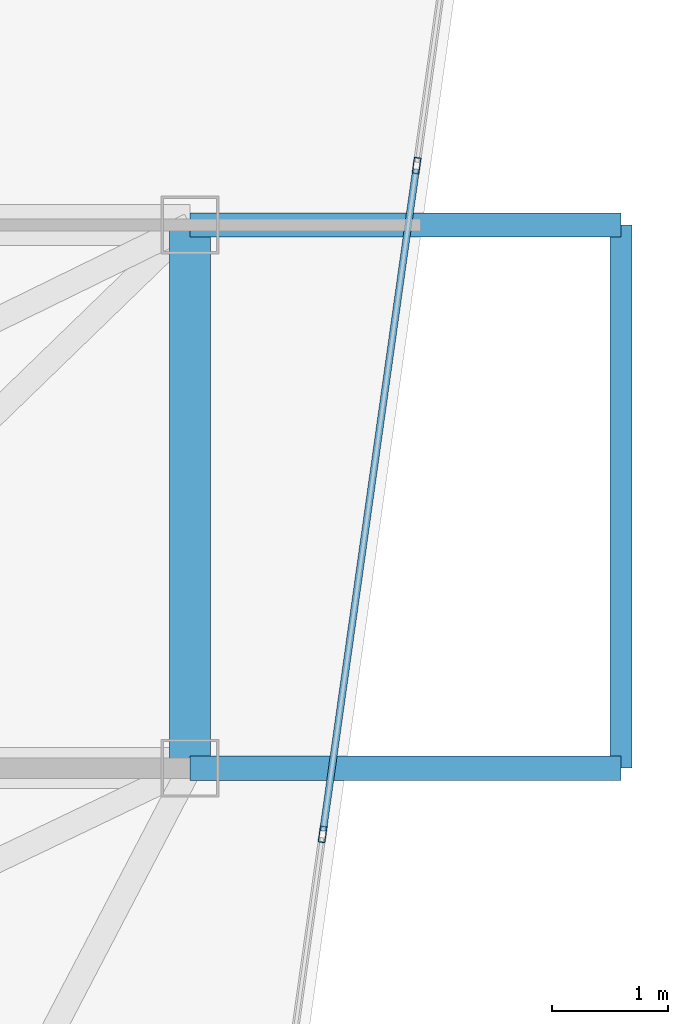
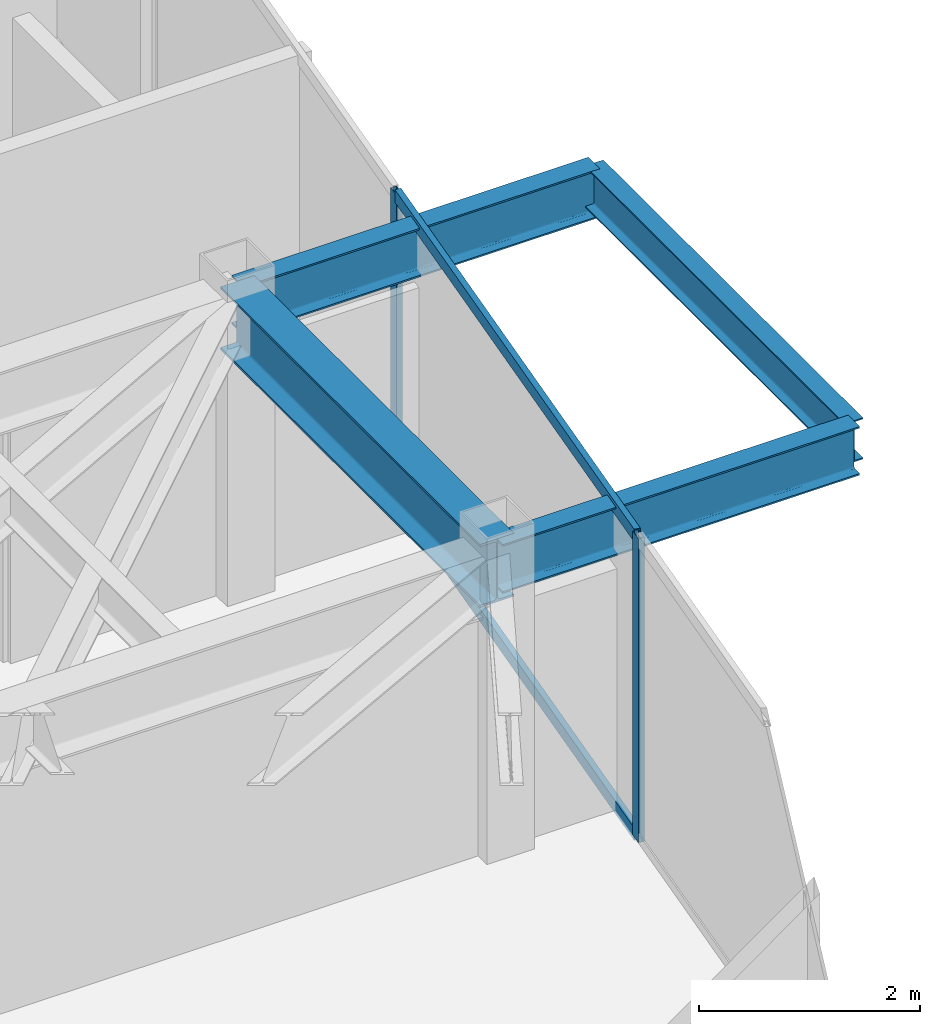
# One storey, part 10 of 17: 4 beams, 4 members, 1 element without a shape of its own.
"""IFC4 building model written with IfcOpenShell, lengths in metres."""

from ifc_helpers import new_model, si_unit, direction, frame, origin, origin_2d, place, context, subcontext, project, spatial, hollow_rectangle, i_section, extrude, material, layer, layer_set, material_profile, profile_set, type_object, element, aggregate, save


model = new_model("IFC4")

# Units and contexts
model_context = context("Model", 3, precision=1e-05, world=origin(), true_north=direction((0.0, 1.0)))
body_context = subcontext(model_context, "Body", "Model", "MODEL_VIEW")
ifc_project = project(units=[si_unit("LENGTHUNIT", "METRE"), si_unit("AREAUNIT", "SQUARE_METRE"), si_unit("VOLUMEUNIT", "CUBIC_METRE"), si_unit("PLANEANGLEUNIT", "RADIAN"), si_unit("MASSUNIT", "GRAM", prefix="KILO")], contexts=[model_context])

# Site, building, storey
site_placement = place(None, origin())
site = spatial("IfcSite", under=ifc_project, at=site_placement, CompositionType="ELEMENT")
building_placement = place(site_placement, origin())
building = spatial("IfcBuilding", under=site, at=building_placement, Name="Kravanh Interchange Tower", CompositionType="ELEMENT")
storey_placement = place(building_placement, frame((0.0, 0.0, 263.39990234375)))
storey = spatial("IfcBuildingStorey", under=building, at=storey_placement, Name="L64", CompositionType="ELEMENT", Elevation=263.39990234375)

# Curtain wall, members
ifc_material_1 = material(Name="Anodised Bronze Aluminium", Category="aluminium")
ifc_layer = layer(ifc_material_1, 0.179931640625)
ifc_layer_set = layer_set([ifc_layer], Name="Unitised Curtain Wall System CW-HTL Luxury Hotel")
curtain_wall_type = type_object("IfcCurtainWallType", Name="Unitised Curtain Wall System CW-HTL Luxury Hotel", PredefinedType="NOTDEFINED", material=ifc_layer_set)
curtain_wall_placement = place(storey_placement, origin())
curtain_wall = element("IfcCurtainWall", 1, at=curtain_wall_placement, inside=storey, type_object=curtain_wall_type, Name="L64 Unitised Curtain Wall CW-L64-01", PredefinedType="NOTDEFINED")
ifc_material_2 = material(Name="Anodised Bronze Aluminium", Category="aluminium")
ifc_material_profile_1 = material_profile(ifc_material_2, hollow_rectangle(XDim=0.06005859375, YDim=0.139892578125, WallThickness=0.00390625, at=origin_2d()), Name="ALU60X140X4")
ifc_profile_set_1 = profile_set([ifc_material_profile_1], Name="Anodised Bronze Aluminium")
member_type_1 = type_object("IfcMemberType", Name="Curtain Wall Mullion ALU60X140X4 Bronze", PredefinedType="MULLION", material=ifc_profile_set_1)
member_1_placement = place(storey_placement, frame((67.56201171875, 32.013916015625, 0.0), z_axis=(0.0, 0.0, 1.0), x_axis=(0.990267785894, -0.139175113512, 0.0)))
member_1 = element("IfcMember", 2, at=member_1_placement, type_object=member_type_1, Name="CW-HTL mullion 2", PredefinedType="MULLION", context=body_context, shape_type="SweptSolid", body=[
    extrude(hollow_rectangle(XDim=0.06005859375, YDim=0.139892578125, WallThickness=0.00390625, at=origin_2d()), origin(), (0.0, 0.0, 1.0), 3.360107421875),
])
member_2_placement = place(storey_placement, frame((66.748779296875, 26.227783203125, 0.0), z_axis=(0.0, 0.0, 1.0), x_axis=(0.990267785894, -0.139175113512, 0.0)))
member_2 = element("IfcMember", 3, at=member_2_placement, type_object=member_type_1, Name="CW-HTL mullion 3", PredefinedType="MULLION", context=body_context, shape_type="SweptSolid", body=[
    extrude(hollow_rectangle(XDim=0.06005859375, YDim=0.139892578125, WallThickness=0.00390625, at=origin_2d()), origin(), (0.0, 0.0, 1.0), 3.360107421875),
])
ifc_material_3 = material(Name="Anodised Bronze Aluminium", Category="aluminium")
ifc_material_profile_2 = material_profile(ifc_material_3, hollow_rectangle(XDim=0.06005859375, YDim=0.139892578125, WallThickness=0.00390625, at=origin_2d()), Name="ALU60X140X4")
ifc_profile_set_2 = profile_set([ifc_material_profile_2], Name="Anodised Bronze Aluminium")
member_type_2 = type_object("IfcMemberType", Name="Curtain Wall Transom ALU60X140X4 Bronze", PredefinedType="USERDEFINED", material=ifc_profile_set_2)
member_3_placement = place(storey_placement, frame((67.5576171875, 31.984130859375, 0.030029296875), z_axis=(-0.13914551443, -0.990271945384, 0.0), x_axis=(0.990271945384, -0.13914551443, 0.0)))
member_3 = element("IfcMember", 4, at=member_3_placement, type_object=member_type_2, Name="CW-HTL transom 2.1", ObjectType="TRANSOM", PredefinedType="USERDEFINED", context=body_context, shape_type="SweptSolid", body=[
    extrude(hollow_rectangle(XDim=0.06005859375, YDim=0.139892578125, WallThickness=0.00390625, at=origin_2d()), origin(), (0.0, 0.0, 1.0), 5.782958984375),
])
member_4_placement = place(storey_placement, frame((67.5576171875, 31.984130859375, 3.330078125), z_axis=(-0.13914551443, -0.990271945384, 0.0), x_axis=(0.990271945384, -0.13914551443, 0.0)))
member_4 = element("IfcMember", 5, at=member_4_placement, type_object=member_type_2, Name="CW-HTL transom 2.2", ObjectType="TRANSOM", PredefinedType="USERDEFINED", context=body_context, shape_type="SweptSolid", body=[
    extrude(hollow_rectangle(XDim=0.06005859375, YDim=0.139892578125, WallThickness=0.00390625, at=origin_2d()), origin(), (0.0, 0.0, 1.0), 5.782958984375),
])
aggregate(curtain_wall, [member_1, member_2, member_3, member_4])

# Beams
ifc_material_4 = material(Name="Structural Steel S355", Category="steel")
ifc_material_profile_3 = material_profile(ifc_material_4, i_section(OverallWidth=0.35498046875, OverallDepth=0.696044921875, WebThickness=0.015380859375, FlangeThickness=0.02490234375, FilletRadius=0.02392578125, at=origin_2d()), Name="W27X146")
ifc_profile_set_3 = profile_set([ifc_material_profile_3], Name="Structural Steel S355")
beam_type_1 = type_object("IfcBeamType", Name="Floor Beam W27X146 Structural Steel S355", PredefinedType="BEAM", material=ifc_profile_set_3)
beam_1_placement = place(storey_placement, frame((65.60009765625, 31.5, 3.01220703125), z_axis=(0.0, -1.0, 0.0), x_axis=(1.0, 0.0, 0.0)))
element("IfcBeam", 6, at=beam_1_placement, inside=storey, type_object=beam_type_1, Name="L64 Primary Floor Girder 13", PredefinedType="BEAM", context=body_context, shape_type="SweptSolid", body=[
    extrude(i_section(OverallWidth=0.35498046875, OverallDepth=0.696044921875, WebThickness=0.015380859375, FlangeThickness=0.02490234375, FilletRadius=0.02392578125, at=origin_2d()), origin(), (0.0, 0.0, 1.0), 4.699951171875),
])
ifc_material_5 = material(Name="Structural Steel S355", Category="steel")
ifc_material_profile_4 = material_profile(ifc_material_5, i_section(OverallWidth=0.18994140625, OverallDepth=0.45703125, WebThickness=0.009033203125, FlangeThickness=0.014404296875, FilletRadius=0.01806640625, at=origin_2d()), Name="W18X50")
ifc_profile_set_4 = profile_set([ifc_material_profile_4], Name="Structural Steel S355")
beam_type_2 = type_object("IfcBeamType", Name="Floor Joist W18X50 Structural Steel S355", PredefinedType="JOIST", material=ifc_profile_set_4)
beam_2_placement = place(storey_placement, frame((69.330078125, 26.800048828125, 3.131591796875), z_axis=(0.0, 1.0, 0.0), x_axis=(-1.0, 0.0, 0.0)))
element("IfcBeam", 7, at=beam_2_placement, inside=storey, type_object=beam_type_2, Name="L64 Balcony Edge Tie Beam E", PredefinedType="JOIST", context=body_context, shape_type="SweptSolid", body=[
    extrude(i_section(OverallWidth=0.18994140625, OverallDepth=0.45703125, WebThickness=0.009033203125, FlangeThickness=0.014404296875, FilletRadius=0.01806640625, at=origin_2d()), origin(), (0.0, 0.0, 1.0), 4.699951171875),
])
ifc_material_6 = material(Name="Structural Steel S355", Category="steel")
ifc_material_profile_5 = material_profile(ifc_material_6, i_section(OverallWidth=0.2099609375, OverallDepth=0.537109375, WebThickness=0.010986328125, FlangeThickness=0.017333984375, FilletRadius=0.02001953125, at=origin_2d()), Name="W21X68")
ifc_profile_set_5 = profile_set([ifc_material_profile_5], Name="Structural Steel S355")
beam_type_3 = type_object("IfcBeamType", Name="Floor Spandrel W21X68 Structural Steel S355", PredefinedType="SPANDREL", material=ifc_profile_set_5)
for number, where, z_axis, x_axis, name in (
    (8, (65.60009765625, 26.800048828125, 3.091552734375), (1.0, 0.0, 0.0), (0.0, 1.0, 0.0), "L64 Balcony Cantilever Outrigger E1"),
    (9, (65.60009765625, 31.5, 3.091552734375), (1.0, 0.0, 0.0), (0.0, 1.0, 0.0), "L64 Balcony Cantilever Outrigger E2"),
):
    element("IfcBeam", number, at=place(storey_placement, frame(where, z_axis=z_axis, x_axis=x_axis)), inside=storey, type_object=beam_type_3, Name=name, PredefinedType="SPANDREL", context=body_context, shape_type="SweptSolid", body=[
        extrude(i_section(OverallWidth=0.2099609375, OverallDepth=0.537109375, WebThickness=0.010986328125, FlangeThickness=0.017333984375, FilletRadius=0.02001953125, at=origin_2d()), origin(), (0.0, 0.0, 1.0), 3.72998046875),
    ])

save(model, "model.ifc")
